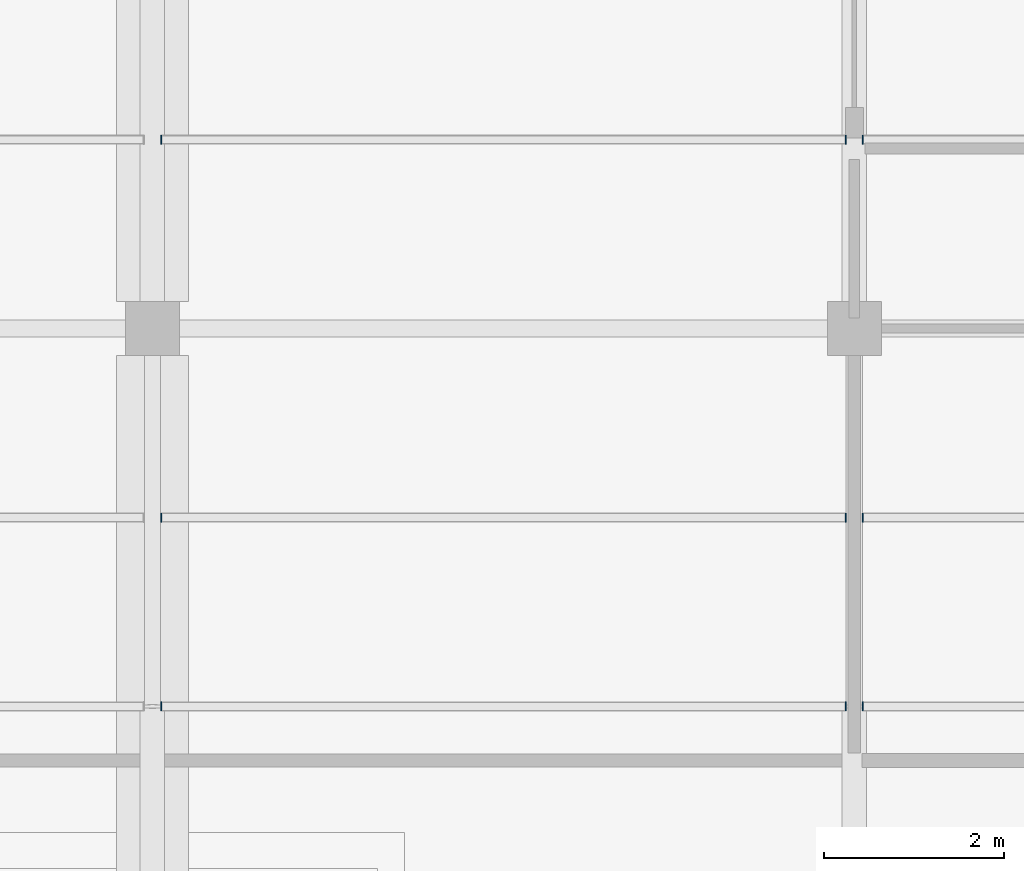
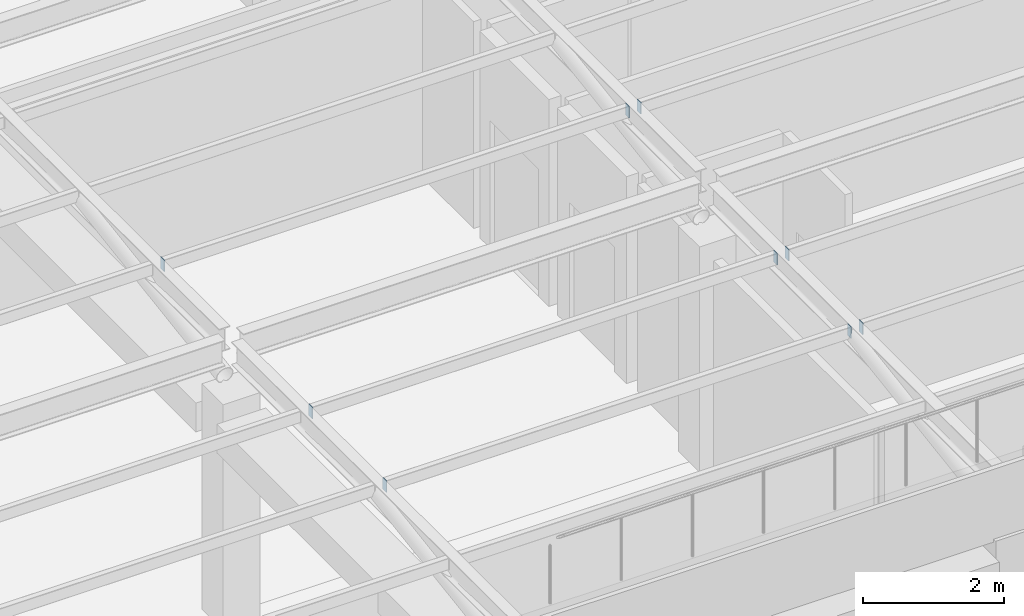
# One storey, part 7 of 20: 9 plates.
"""IFC4 building model written with IfcOpenShell, lengths in metres."""

from ifc_helpers import new_model, si_unit, direction, frame, origin, origin_2d, place, context, subcontext, project, spatial, rectangle, extrude, material, layer, layer_set, type_object, element, save


model = new_model("IFC4")

# Units and contexts
model_context = context("Model", 3, precision=1e-05, world=origin(), true_north=direction((0.0, 1.0)))
body_context = subcontext(model_context, "Body", "Model", "MODEL_VIEW")
ifc_project = project(units=[si_unit("LENGTHUNIT", "METRE"), si_unit("AREAUNIT", "SQUARE_METRE"), si_unit("VOLUMEUNIT", "CUBIC_METRE"), si_unit("PLANEANGLEUNIT", "RADIAN"), si_unit("MASSUNIT", "GRAM", prefix="KILO"), si_unit("THERMODYNAMICTEMPERATUREUNIT", "KELVIN"), si_unit("POWERUNIT", "WATT")], contexts=[model_context])

# Site, building, storey
site_placement = place(None, origin())
site = spatial("IfcSite", under=ifc_project, at=site_placement, CompositionType="ELEMENT")
building_placement = place(site_placement, origin())
building = spatial("IfcBuilding", under=site, at=building_placement, Name="Srebrne Nadtorze General Hospital", CompositionType="ELEMENT")
storey_placement = place(building_placement, frame((0.0, 0.0, 33.89990234375)))
storey = spatial("IfcBuildingStorey", under=building, at=storey_placement, Name="L08", CompositionType="ELEMENT", Elevation=33.89990234375)

# Plates
ifc_material = material(Name="Steel S355J2", Category="steel")
ifc_layer = layer(ifc_material, 0.011962890625)
ifc_layer_set = layer_set([ifc_layer], Name="Steel S355J2")
plate_type = type_object("IfcPlateType", Name="Steel bearing plate 12", PredefinedType="SHEET", material=ifc_layer_set)
for number, where, z_axis, x_axis, name in (
    (1, (39.095947265625, 54.60009765625, 4.64013671875), (0.0, 0.0, 1.0), (1.0, 0.0, 0.0), "Helipad deck purlin end plate 11-1"),
    (2, (46.7041015625, 54.60009765625, 4.64013671875), (0.0, 0.0, 1.0), (1.0, 0.0, 0.0), "Helipad deck purlin end plate 11-2"),
    (3, (39.095947265625, 56.699951171875, 4.64013671875), (0.0, 0.0, 1.0), (1.0, 0.0, 0.0), "Helipad deck purlin end plate 12-1"),
    (4, (46.7041015625, 56.699951171875, 4.64013671875), (0.0, 0.0, 1.0), (1.0, 0.0, 0.0), "Helipad deck purlin end plate 12-2"),
    (5, (39.095947265625, 60.89990234375, 4.64013671875), (0.0, 0.0, 1.0), (1.0, 0.0, 0.0), "Helipad deck purlin end plate 13-1"),
    (6, (46.7041015625, 60.89990234375, 4.64013671875), (0.0, 0.0, 1.0), (1.0, 0.0, 0.0), "Helipad deck purlin end plate 13-2"),
    (7, (46.89599609375, 54.60009765625, 4.64013671875), (0.0, 0.0, 1.0), (1.0, 0.0, 0.0), "Helipad deck purlin end plate 20-1"),
    (8, (46.89599609375, 56.699951171875, 4.64013671875), (0.0, 0.0, 1.0), (1.0, 0.0, 0.0), "Helipad deck purlin end plate 21-1"),
    (9, (46.89599609375, 60.89990234375, 4.64013671875), (0.0, 0.0, 1.0), (1.0, 0.0, 0.0), "Helipad deck purlin end plate 22-1"),
):
    element("IfcPlate", number, at=place(storey_placement, frame(where, z_axis=z_axis, x_axis=x_axis)), inside=storey, type_object=plate_type, Name=name, PredefinedType="SHEET", context=body_context, shape_type="SweptSolid", body=[
        extrude(rectangle(XDim=0.011962890625, YDim=0.10009765625, at=origin_2d()), origin(), (0.0, 0.0, 1.0), 0.199951171875),
    ])

save(model, "model.ifc")
